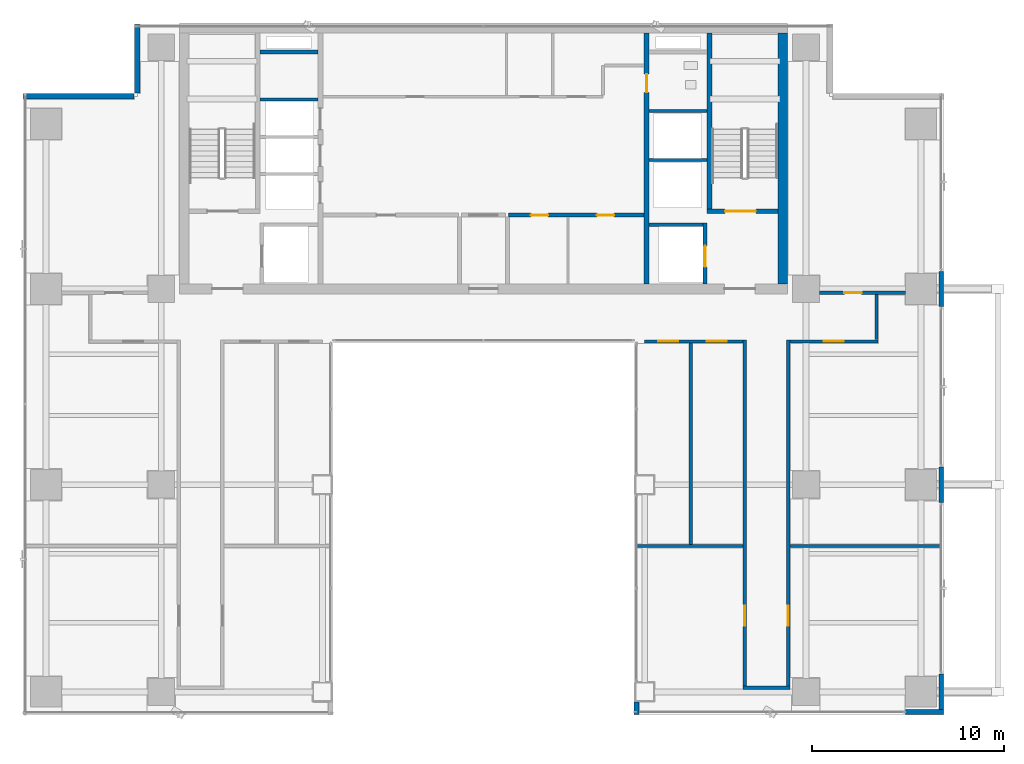
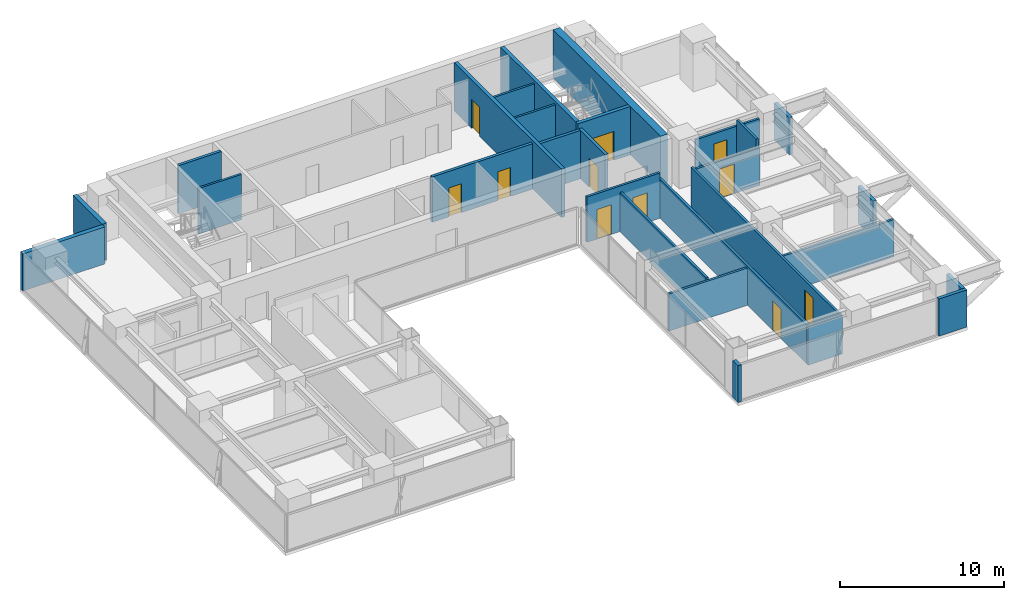
# One storey, part 26 of 31: 28 walls, 11 doors, 11 openings.
"""IFC4 building model written with IfcOpenShell, lengths in metres."""

import ifcopenshell
import ifcopenshell.guid

model = None  # the IFC model being written
_history = None  # IfcOwnerHistory: only IFC2X3 demands one
_inside = {}  # id of a spatial element -> (the spatial element, [elements in it])
_under = {}  # id of a project, library or spatial element -> (it, [spatial elements below it])
_declared = {}  # id of a project -> (the project, [libraries it declares])
_typed = {}  # id of a type object -> (the type object, [elements of that type])
_made_of = {}  # id of a material, layer set ... -> (it, [elements and type objects made of it])


def new_model(schema):
    """Start an empty IFC model of exactly this schema.

    Asked for "IFC4X3", IfcOpenShell would pick the latest addendum, in which some entities
    have other attributes; the version numbers below select the first issue.
    IFC2X3 requires an IfcOwnerHistory on every rooted entity: one is made here for all.
    """
    global model, _history
    if schema == "IFC4X3":
        model = ifcopenshell.file(schema_version=(4, 3, 0, 0))
    else:
        model = ifcopenshell.file(schema=schema)
    _inside.clear()
    _under.clear()
    _declared.clear()
    _typed.clear()
    _made_of.clear()
    _history = None
    if model.schema == "IFC2X3":
        org = make("IfcOrganization", Name="unknown")
        user = make(
            "IfcPersonAndOrganization",
            ThePerson=make("IfcPerson", FamilyName="unknown"),
            TheOrganization=org,
        )
        app = make(
            "IfcApplication",
            ApplicationDeveloper=org,
            Version="unknown",
            ApplicationFullName="unknown",
            ApplicationIdentifier="unknown",
        )
        _history = make(
            "IfcOwnerHistory",
            OwningUser=user,
            OwningApplication=app,
            ChangeAction="ADDED",
            CreationDate=0,
        )
    return model


def make(cls, **values):
    """One entity of the class cls with the attributes given. An attribute that is None is left unset."""
    return model.create_entity(
        cls, **{name: value for name, value in values.items() if value is not None}
    )


def rooted(cls, **values):
    """An entity with a GlobalId (a new one), such as an element, a storey or a relation."""
    return make(cls, GlobalId=ifcopenshell.guid.new(), OwnerHistory=_history, **values)


def si_unit(unit_type, name, prefix=None):
    """IfcSIUnit, for example si_unit("LENGTHUNIT", "METRE", prefix="MILLI")."""
    return make("IfcSIUnit", UnitType=unit_type, Prefix=prefix, Name=name)


def assignment(units):
    """IfcUnitAssignment: the units of a project."""
    return None if units is None else make("IfcUnitAssignment", Units=units)


def point(xyz):
    """IfcCartesianPoint."""
    return None if xyz is None else make("IfcCartesianPoint", Coordinates=xyz)


def direction(xyz):
    """IfcDirection."""
    return None if xyz is None else make("IfcDirection", DirectionRatios=xyz)


def frame(location, z_axis=None, x_axis=None):
    """IfcAxis2Placement3D, a coordinate frame: its origin and axes. An axis left out is left unset."""
    return make(
        "IfcAxis2Placement3D",
        Location=point(location),
        Axis=direction(z_axis),
        RefDirection=direction(x_axis),
    )


def frame_2d(location, x_axis=None):
    """IfcAxis2Placement2D, a coordinate frame in the plane: its origin and x axis."""
    return make(
        "IfcAxis2Placement2D", Location=point(location), RefDirection=direction(x_axis)
    )


def origin():
    """The frame at (0, 0, 0) with its axes left unset."""
    return frame((0.0, 0.0, 0.0))


def place(relative_to, where):
    """IfcLocalPlacement: puts the frame where relative to a parent placement (None: the world)."""
    return make(
        "IfcLocalPlacement", PlacementRelTo=relative_to, RelativePlacement=where
    )


def context(
    kind, dimensions, precision=None, world=None, true_north=None, identifier=None
):
    """IfcGeometricRepresentationContext, for example the 3D "Model" context."""
    return make(
        "IfcGeometricRepresentationContext",
        ContextIdentifier=identifier,
        ContextType=kind,
        CoordinateSpaceDimension=dimensions,
        Precision=precision,
        WorldCoordinateSystem=world,
        TrueNorth=true_north,
    )


def subcontext(parent, identifier, kind, view, scale=None):
    """IfcGeometricRepresentationSubContext, for example "Body" below "Model"."""
    return make(
        "IfcGeometricRepresentationSubContext",
        ContextIdentifier=identifier,
        ContextType=kind,
        ParentContext=parent,
        TargetScale=scale,
        TargetView=view,
    )


def project(units=None, contexts=None):
    """IfcProject with its units and contexts."""
    return rooted(
        "IfcProject",
        Name="project",
        RepresentationContexts=contexts,
        UnitsInContext=assignment(units),
    )


def spatial(cls, under=None, at=None, **own):
    """A site, building, storey or space (cls), placed at a placement, below another one or the project."""
    s = rooted(cls, ObjectPlacement=at, **own)
    if under is not None:
        _under.setdefault(under.id(), (under, []))[1].append(s)
    return s


def profile(cls, at=None, kind="AREA", **sizes):
    """A parametric profile (cls). Its sizes go by their IFC names, for example OverallWidth=200.0."""
    return make(cls, ProfileType=kind, Position=at, **sizes)


def rectangle(**sizes):
    """IfcRectangleProfileDef."""
    return profile("IfcRectangleProfileDef", **sizes)


def extrude(swept, where, along, depth):
    """IfcExtrudedAreaSolid: the profile swept, set in the frame where, extruded along a direction by depth."""
    return make(
        "IfcExtrudedAreaSolid",
        SweptArea=swept,
        Position=where,
        ExtrudedDirection=direction(along),
        Depth=depth,
    )


def shape(context_of_items, identifier, shape_type, items):
    """IfcShapeRepresentation: the items that make up one representation, for example the "Body"."""
    return make(
        "IfcShapeRepresentation",
        ContextOfItems=context_of_items,
        RepresentationIdentifier=identifier,
        RepresentationType=shape_type,
        Items=items,
    )


def source(mapping_origin, context_of_items, identifier, shape_type, items):
    """IfcRepresentationMap: a shape defined once, which mapped items show again and again."""
    return make(
        "IfcRepresentationMap",
        MappingOrigin=mapping_origin,
        MappedRepresentation=shape(context_of_items, identifier, shape_type, items),
    )


def transform(
    local_origin,
    x_axis=None,
    y_axis=None,
    z_axis=None,
    scale=None,
    scale2=None,
    scale3=None,
    uniform=True,
):
    """IfcCartesianTransformationOperator3D, or its non-uniform kind. x_axis, y_axis, z_axis: its Axis1, 2, 3."""
    if uniform:
        return make(
            "IfcCartesianTransformationOperator3D",
            Axis1=direction(x_axis),
            Axis2=direction(y_axis),
            LocalOrigin=point(local_origin),
            Scale=scale,
            Axis3=direction(z_axis),
        )
    return make(
        "IfcCartesianTransformationOperator3DnonUniform",
        Axis1=direction(x_axis),
        Axis2=direction(y_axis),
        LocalOrigin=point(local_origin),
        Scale=scale,
        Axis3=direction(z_axis),
        Scale2=scale2,
        Scale3=scale3,
    )


def mapped(mapping_source, mapping_target):
    """IfcMappedItem: shows the shape of a source again, moved by a transform."""
    return make(
        "IfcMappedItem", MappingSource=mapping_source, MappingTarget=mapping_target
    )


def material(Name=None, Category=None):
    """IfcMaterial."""
    return make("IfcMaterial", Name=Name, Category=Category)


def layer(
    of_material, thickness, ventilated=None, Name=None, Category=None, Priority=None
):
    """IfcMaterialLayer: one layer of a wall or slab, of a material (None: an air gap)."""
    return make(
        "IfcMaterialLayer",
        Material=of_material,
        LayerThickness=thickness,
        IsVentilated=ventilated,
        Name=Name,
        Category=Category,
        Priority=Priority,
    )


def layer_set(layers, Name=None):
    """IfcMaterialLayerSet."""
    return make("IfcMaterialLayerSet", MaterialLayers=layers, LayerSetName=Name)


def made_of(thing, what):
    """Note that an element or type object is made of a material, layer set ...; save() writes the relation."""
    if what is not None:
        _made_of.setdefault(what.id(), (what, []))[1].append(thing)
    return thing


def type_object(cls, material=None, **own):
    """A type object (cls), such as IfcWallType, which elements share."""
    return made_of(rooted(cls, **own), material)


def element(
    cls,
    number,
    at=None,
    inside=None,
    cuts=None,
    type_object=None,
    material=None,
    context=None,
    identifier="Body",
    shape_type=None,
    held_by="IfcProductDefinitionShape",
    body=None,
    shapes=None,
    **own,
):
    """One element of the class cls, such as IfcWall. Its Tag is "e" and its number.

    at: its placement. inside: the storey or other place that contains it. cuts: it is an
    opening in that element (IfcRelVoidsElement). A single representation is given by context,
    identifier, shape_type and body (its items); several are given by shapes. held_by: the class
    of the entity that holds the representations. save() writes the other relations.
    """
    e = rooted(cls, Tag="e%d" % number, ObjectPlacement=at, **own)
    if body is not None:
        shapes = [shape(context, identifier, shape_type, body)]
    if shapes is not None:
        e.Representation = make(held_by, Representations=shapes)
    if inside is not None:
        _inside.setdefault(inside.id(), (inside, []))[1].append(e)
    if cuts is not None:
        rooted(
            "IfcRelVoidsElement", RelatingBuildingElement=cuts, RelatedOpeningElement=e
        )
    if type_object is not None:
        _typed.setdefault(type_object.id(), (type_object, []))[1].append(e)
    return made_of(e, material)


def fill(opening, filler):
    """IfcRelFillsElement: the door or window that sits in an opening."""
    return rooted(
        "IfcRelFillsElement",
        RelatingOpeningElement=opening,
        RelatedBuildingElement=filler,
    )


def aggregate(whole, parts):
    """IfcRelAggregates: a whole, such as a stair, and the parts it consists of."""
    return rooted("IfcRelAggregates", RelatingObject=whole, RelatedObjects=parts)


def save(model, path):
    """Write the relations noted so far, then the file.

    IfcRelAggregates (storeys below a building ...), IfcRelContainedInSpatialStructure (elements
    in a storey), IfcRelDefinesByType, IfcRelAssociatesMaterial and IfcRelDeclares: one each for
    every whole, place, type object, material and project.
    """
    for whole, parts in _under.values():
        aggregate(whole, parts)
    for where, things in _inside.values():
        rooted(
            "IfcRelContainedInSpatialStructure",
            RelatedElements=things,
            RelatingStructure=where,
        )
    for kind, things in _typed.values():
        rooted("IfcRelDefinesByType", RelatedObjects=things, RelatingType=kind)
    for what, things in _made_of.values():
        rooted("IfcRelAssociatesMaterial", RelatedObjects=things, RelatingMaterial=what)
    for by, libraries in _declared.values():
        rooted("IfcRelDeclares", RelatingContext=by, RelatedDefinitions=libraries)
    model.write(path)


model = new_model("IFC4")

# Units and contexts
model_context = context("Model", 3, precision=1e-05, world=origin(), true_north=direction((0.0, 1.0)))
body_context = subcontext(model_context, "Body", "Model", "MODEL_VIEW")
ifc_project = project(units=[si_unit("LENGTHUNIT", "METRE"), si_unit("AREAUNIT", "SQUARE_METRE"), si_unit("VOLUMEUNIT", "CUBIC_METRE"), si_unit("PLANEANGLEUNIT", "RADIAN"), si_unit("MASSUNIT", "GRAM", prefix="KILO")], contexts=[model_context])

# Site, building, storey
site_placement = place(None, origin())
site = spatial("IfcSite", under=ifc_project, at=site_placement, CompositionType="ELEMENT")
building_placement = place(site_placement, origin())
building = spatial("IfcBuilding", under=site, at=building_placement, Name="Sumidabori Civic Tower", CompositionType="ELEMENT")
storey_placement = place(building_placement, frame((0.0, 0.0, 221.60009765625)))
storey = spatial("IfcBuildingStorey", under=building, at=storey_placement, Name="L57", CompositionType="ELEMENT", Elevation=221.60009765625)

# Walls
ifc_material_1 = material(Name="Concrete C50/60", Category="concrete")
ifc_layer_1 = layer(ifc_material_1, 0.199951171875, Name="Concrete C50/60")
ifc_layer_set_1 = layer_set([ifc_layer_1], Name="Concrete C50/60")
wall_type_1 = type_object("IfcWallType", Name="WL-SHAFT-200", PredefinedType="SHEAR", material=ifc_layer_set_1)
shared_shape_1 = source(origin(), body_context, "Body", "SweptSolid", [
    extrude(rectangle(XDim=2.824951171875, YDim=0.199951171875, at=frame_2d((1.41259765625, 0.0))), origin(), (0.0, 0.0, 1.0), 3.599853515625),
])
wall_1_placement = place(storey_placement, frame((8.625, 13.550048828125, 0.0), z_axis=(0.0, 0.0, 1.0), x_axis=(1.0, 0.0, 0.0)))
element("IfcWall", 1, at=wall_1_placement, inside=storey, type_object=wall_type_1, Name="Core Shear Wall L57 EL2-N", PredefinedType="SHEAR", context=body_context, shape_type="MappedRepresentation", body=[
    mapped(shared_shape_1, transform((0.0, 0.0, 0.0), x_axis=(1.0, 0.0, 0.0), y_axis=(0.0, 1.0, 0.0), z_axis=(0.0, 0.0, 1.0), scale=1.0)),
])
shared_shape_2 = source(origin(), body_context, "Body", "SweptSolid", [
    extrude(rectangle(XDim=3.02001953125, YDim=0.199951171875, at=frame_2d((1.510009765625, 0.0))), origin(), (0.0, 0.0, 1.0), 3.599853515625),
])
wall_2_placement = place(storey_placement, frame((-11.64501953125, 22.550048828125, 0.0), z_axis=(0.0, 0.0, 1.0), x_axis=(1.0, 0.0, 0.0)))
element("IfcWall", 2, at=wall_2_placement, inside=storey, type_object=wall_type_1, Name="Core Shear Wall L57 RIS1-S", PredefinedType="SHEAR", context=body_context, shape_type="MappedRepresentation", body=[
    mapped(shared_shape_2, transform((0.0, 0.0, 0.0), x_axis=(1.0, 0.0, 0.0), y_axis=(0.0, 1.0, 0.0), z_axis=(0.0, 0.0, 1.0), scale=1.0)),
])
ifc_layer_2 = layer(ifc_material_1, 0.5, Name="Concrete C50/60")
ifc_layer_set_2 = layer_set([ifc_layer_2], Name="Concrete C50/60")
wall_type_2 = type_object("IfcWallType", Name="WL-CORE-500", PredefinedType="SHEAR", material=ifc_layer_set_2)
shared_shape_3 = source(origin(), body_context, "Body", "SweptSolid", [
    extrude(rectangle(XDim=13.10009765625, YDim=0.5, at=frame_2d((6.550048828125, 0.0))), origin(), (0.0, 0.0, 1.0), 3.599853515625),
])
wall_3_placement = place(storey_placement, frame((15.60009765625, 10.449951171875, 0.0), z_axis=(0.0, 0.0, 1.0), x_axis=(0.0, 1.0, 0.0)))
element("IfcWall", 3, at=wall_3_placement, inside=storey, type_object=wall_type_2, Name="Core Shear Wall L57 E", PredefinedType="SHEAR", context=body_context, shape_type="MappedRepresentation", body=[
    mapped(shared_shape_3, transform((0.0, 0.0, 0.0), x_axis=(1.0, 0.0, 0.0), y_axis=(0.0, 1.0, 0.0), z_axis=(0.0, 0.0, 1.0), scale=1.0)),
])

# Wall, opening, door
ifc_layer_3 = layer(ifc_material_1, 0.25, Name="Concrete C50/60")
ifc_layer_set_3 = layer_set([ifc_layer_3], Name="Concrete C50/60")
wall_type_3 = type_object("IfcWallType", Name="WL-SHAFT-250", PredefinedType="SHEAR", material=ifc_layer_set_3)
shared_shape_4 = source(origin(), body_context, "Body", "SweptSolid", [
    extrude(rectangle(XDim=13.10009765625, YDim=0.25, at=frame_2d((6.550048828125, 0.0))), origin(), (0.0, 0.0, 1.0), 3.599853515625),
])
wall_4_placement = place(storey_placement, frame((8.5, 10.449951171875, 0.0), z_axis=(0.0, 0.0, 1.0), x_axis=(0.0, 1.0, 0.0)))
wall_4 = element("IfcWall", 4, at=wall_4_placement, inside=storey, type_object=wall_type_3, Name="Core Shear Wall L57 WEB-E", PredefinedType="SHEAR", context=body_context, shape_type="MappedRepresentation", body=[
    mapped(shared_shape_4, transform((0.0, 0.0, 0.0), x_axis=(1.0, 0.0, 0.0), y_axis=(0.0, 1.0, 0.0), z_axis=(0.0, 0.0, 1.0), scale=1.0)),
])
opening_1_placement = place(wall_4_placement, frame((10.0, 0.0, 0.0)))
opening_1 = element("IfcOpeningElement", 5, at=opening_1_placement, cuts=wall_4, Name="Opening DR-2", PredefinedType="OPENING", context=body_context, shape_type="SweptSolid", body=[
    extrude(rectangle(XDim=0.949951171875, YDim=2.14990234375, at=frame_2d((0.47509765625, 1.074951171875))), frame((0.0, 0.136962890625, 0.0), z_axis=(0.0, -1.0, 0.0), x_axis=(1.0, 0.0, 0.0)), (0.0, 0.0, 1.0), 0.27392578125),
])
ifc_material_2 = material(Name="Japanese Hinoki Timber", Category="wood")
door_type_1 = type_object("IfcDoorType", Name="DR-INT-950", OperationType="NOTDEFINED", PredefinedType="DOOR", material=ifc_material_2)
shared_shape_5 = source(origin(), body_context, "Body", "SweptSolid", [
    extrude(rectangle(XDim=0.949951171875, YDim=2.14990234375, at=frame_2d((0.47509765625, 1.074951171875))), frame((0.0, 0.02490234375, 0.0), z_axis=(0.0, -1.0, 0.0), x_axis=(1.0, 0.0, 0.0)), (0.0, 0.0, 1.0), 0.050048828125),
])
door_1_placement = place(opening_1_placement, origin())
door_1 = element("IfcDoor", 6, at=door_1_placement, inside=storey, type_object=door_type_1, Name="Door DR:L57:WC-ACC", OperationType="SINGLE_SWING_RIGHT", OverallHeight=2.14990234375, OverallWidth=0.949951171875, PredefinedType="DOOR", context=body_context, shape_type="MappedRepresentation", body=[
    mapped(shared_shape_5, transform((0.0, 0.0, 0.0), x_axis=(1.0, 0.0, 0.0), y_axis=(0.0, 1.0, 0.0), z_axis=(0.0, 0.0, 1.0), scale=1.0)),
])
fill(opening_1, door_1)

shared_shape_6 = source(origin(), body_context, "Body", "SweptSolid", [
    extrude(rectangle(XDim=3.705078125, YDim=0.25, at=frame_2d((1.8525390625, 0.0))), origin(), (0.0, 0.0, 1.0), 3.599853515625),
])
wall_5_placement = place(storey_placement, frame((11.64501953125, 14.25, 0.0), z_axis=(0.0, 0.0, 1.0), x_axis=(1.0, 0.0, 0.0)))
wall_5 = element("IfcWall", 7, at=wall_5_placement, inside=storey, type_object=wall_type_3, Name="Core Shear Wall L57 ST2-S", PredefinedType="SHEAR", context=body_context, shape_type="MappedRepresentation", body=[
    mapped(shared_shape_6, transform((0.0, 0.0, 0.0), x_axis=(1.0, 0.0, 0.0), y_axis=(0.0, 1.0, 0.0), z_axis=(0.0, 0.0, 1.0), scale=1.0)),
])
opening_2_placement = place(wall_5_placement, frame((0.949951171875, 0.0, 0.0)))
opening_2 = element("IfcOpeningElement", 8, at=opening_2_placement, cuts=wall_5, Name="Opening DR-FD4", PredefinedType="OPENING", context=body_context, shape_type="SweptSolid", body=[
    extrude(rectangle(XDim=1.60009765625, YDim=2.14990234375, at=frame_2d((0.800048828125, 1.074951171875))), frame((0.0, 0.136962890625, 0.0), z_axis=(0.0, -1.0, 0.0), x_axis=(1.0, 0.0, 0.0)), (0.0, 0.0, 1.0), 0.27392578125),
])
ifc_material_3 = material(Name="Steel SN490", Category="steel")
door_type_2 = type_object("IfcDoorType", Name="DR-FD4", OperationType="DOUBLE_DOOR_SINGLE_SWING", PredefinedType="DOOR", material=ifc_material_3)
shared_shape_7 = source(origin(), body_context, "Body", "SweptSolid", [
    extrude(rectangle(XDim=1.60009765625, YDim=2.14990234375, at=frame_2d((0.800048828125, 1.074951171875))), frame((0.0, 0.02490234375, 0.0), z_axis=(0.0, -1.0, 0.0), x_axis=(1.0, 0.0, 0.0)), (0.0, 0.0, 1.0), 0.050048828125),
])
door_2_placement = place(opening_2_placement, origin())
door_2 = element("IfcDoor", 9, at=door_2_placement, inside=storey, type_object=door_type_2, Name="Door DR:L57:ST2", OperationType="DOUBLE_DOOR_SINGLE_SWING", OverallHeight=2.14990234375, OverallWidth=1.60009765625, PredefinedType="DOOR", context=body_context, shape_type="MappedRepresentation", body=[
    mapped(shared_shape_7, transform((0.0, 0.0, 0.0), x_axis=(1.0, 0.0, 0.0), y_axis=(0.0, 1.0, 0.0), z_axis=(0.0, 0.0, 1.0), scale=1.0)),
])
fill(opening_2, door_2)

# Wall
shared_shape_8 = source(origin(), body_context, "Body", "SweptSolid", [
    extrude(rectangle(XDim=9.175048828125, YDim=0.25, at=frame_2d((4.58740234375, 0.0))), origin(), (0.0, 0.0, 1.0), 3.599853515625),
])
wall_6_placement = place(storey_placement, frame((11.77001953125, 14.375, 0.0), z_axis=(0.0, 0.0, 1.0), x_axis=(0.0, 1.0, 0.0)))
element("IfcWall", 10, at=wall_6_placement, inside=storey, type_object=wall_type_3, Name="Core Shear Wall L57 ST2-W", PredefinedType="SHEAR", context=body_context, shape_type="MappedRepresentation", body=[
    mapped(shared_shape_8, transform((0.0, 0.0, 0.0), x_axis=(1.0, 0.0, 0.0), y_axis=(0.0, 1.0, 0.0), z_axis=(0.0, 0.0, 1.0), scale=1.0)),
])

# Wall, opening, door
shared_shape_9 = source(origin(), body_context, "Body", "SweptSolid", [
    extrude(rectangle(XDim=3.199951171875, YDim=0.199951171875, at=frame_2d((1.60009765625, 0.0))), origin(), (0.0, 0.0, 1.0), 3.599853515625),
])
wall_7_placement = place(storey_placement, frame((11.550048828125, 10.449951171875, 0.0), z_axis=(0.0, 0.0, 1.0), x_axis=(0.0, 1.0, 0.0)))
wall_7 = element("IfcWall", 11, at=wall_7_placement, inside=storey, type_object=wall_type_1, Name="Core Shear Wall L57 EL2-E", PredefinedType="SHEAR", context=body_context, shape_type="MappedRepresentation", body=[
    mapped(shared_shape_9, transform((0.0, 0.0, 0.0), x_axis=(1.0, 0.0, 0.0), y_axis=(0.0, 1.0, 0.0), z_axis=(0.0, 0.0, 1.0), scale=1.0)),
])
opening_3_placement = place(wall_7_placement, frame((0.89990234375, 0.0, 0.0)))
opening_3 = element("IfcOpeningElement", 12, at=opening_3_placement, cuts=wall_7, Name="Opening LD-2", PredefinedType="OPENING", context=body_context, shape_type="SweptSolid", body=[
    extrude(rectangle(XDim=1.10009765625, YDim=2.14990234375, at=frame_2d((0.550048828125, 1.074951171875))), frame((0.0, 0.11181640625, 0.0), z_axis=(0.0, -1.0, 0.0), x_axis=(1.0, 0.0, 0.0)), (0.0, 0.0, 1.0), 0.223876953125),
])
ifc_material_4 = material(Name="Stainless Steel Hairline Finish", Category="steel")
door_type_3 = type_object("IfcDoorType", Name="DR-LD2", OperationType="DOUBLE_DOOR_SLIDING", PredefinedType="DOOR", material=ifc_material_4)
shared_shape_10 = source(origin(), body_context, "Body", "SweptSolid", [
    extrude(rectangle(XDim=1.10009765625, YDim=2.14990234375, at=frame_2d((0.550048828125, 1.074951171875))), frame((0.0, 0.02490234375, 0.0), z_axis=(0.0, -1.0, 0.0), x_axis=(1.0, 0.0, 0.0)), (0.0, 0.0, 1.0), 0.050048828125),
])
door_3_placement = place(opening_3_placement, origin())
door_3 = element("IfcDoor", 13, at=door_3_placement, inside=storey, type_object=door_type_3, Name="Door DR:L57:LD-EL2", OperationType="DOUBLE_DOOR_SLIDING", OverallHeight=2.14990234375, OverallWidth=1.10009765625, PredefinedType="DOOR", context=body_context, shape_type="MappedRepresentation", body=[
    mapped(shared_shape_10, transform((0.0, 0.0, 0.0), x_axis=(1.0, 0.0, 0.0), y_axis=(0.0, 1.0, 0.0), z_axis=(0.0, 0.0, 1.0), scale=1.0)),
])
fill(opening_3, door_3)

# Walls
ifc_material_5 = material(Name="Precast concrete C40/50", Category="concrete")
ifc_layer_4 = layer(ifc_material_5, 0.300048828125, Name="Precast concrete C40/50")
ifc_layer_set_4 = layer_set([ifc_layer_4], Name="Precast concrete C40/50")
wall_type_4 = type_object("IfcWallType", Name="WL-EXT-POD300", PredefinedType="STANDARD", material=ifc_layer_set_4)
shared_shape_11 = source(origin(), body_context, "Body", "SweptSolid", [
    extrude(rectangle(XDim=0.639892578125, YDim=0.239990234375, at=frame_2d((0.31982421875, 0.0))), origin(), (0.0, 0.0, 1.0), 2.760009765625),
])
wall_8_placement = place(storey_placement, frame((7.969970703125, -11.330078125, 0.0), z_axis=(0.0, 0.0, 1.0), x_axis=(0.0, -1.0, 0.0)))
element("IfcWall", 14, at=wall_8_placement, inside=storey, type_object=wall_type_4, Name="Perimeter Pier Spandrel L57-08", PredefinedType="STANDARD", context=body_context, shape_type="MappedRepresentation", body=[
    mapped(shared_shape_11, transform((0.0, 0.0, 0.0), x_axis=(1.0, 0.0, 0.0), y_axis=(0.0, 1.0, 0.0), z_axis=(0.0, 0.0, 1.0), scale=1.0)),
])
shared_shape_12 = source(origin(), body_context, "Body", "SweptSolid", [
    extrude(rectangle(XDim=5.760009765625, YDim=0.300048828125, at=frame_2d((2.8798828125, 0.0))), origin(), (0.0, 0.0, 1.0), 2.760009765625),
])
wall_9_placement = place(storey_placement, frame((-18.219970703125, 20.25, 0.0), z_axis=(0.0, 0.0, 1.0), x_axis=(-1.0, 0.0, 0.0)))
element("IfcWall", 15, at=wall_9_placement, inside=storey, type_object=wall_type_4, Name="Notched Corner Spandrel Band L57-21", PredefinedType="STANDARD", context=body_context, shape_type="MappedRepresentation", body=[
    mapped(shared_shape_12, transform((0.0, 0.0, 0.0), x_axis=(1.0, 0.0, 0.0), y_axis=(0.0, 1.0, 0.0), z_axis=(0.0, 0.0, 1.0), scale=1.0)),
])
shared_shape_13 = source(origin(), body_context, "Body", "SweptSolid", [
    extrude(rectangle(XDim=3.56005859375, YDim=0.300048828125, at=frame_2d((1.780029296875, 0.0))), origin(), (0.0, 0.0, 1.0), 2.760009765625),
])
wall_10_placement = place(storey_placement, frame((-18.050048828125, 23.97998046875, 0.0), z_axis=(0.0, 0.0, 1.0), x_axis=(0.0, -1.0, 0.0)))
element("IfcWall", 16, at=wall_10_placement, inside=storey, type_object=wall_type_4, Name="Notched Corner Spandrel Band L57-20", PredefinedType="STANDARD", context=body_context, shape_type="MappedRepresentation", body=[
    mapped(shared_shape_13, transform((0.0, 0.0, 0.0), x_axis=(1.0, 0.0, 0.0), y_axis=(0.0, 1.0, 0.0), z_axis=(0.0, 0.0, 1.0), scale=1.0)),
])
shared_shape_14 = source(origin(), body_context, "Body", "SweptSolid", [
    extrude(rectangle(XDim=1.969970703125, YDim=0.239990234375, at=frame_2d((0.98486328125, 0.0))), origin(), (0.0, 0.0, 1.0), 2.760009765625),
])
wall_11_placement = place(storey_placement, frame((22.0, -11.85009765625, 0.0), z_axis=(0.0, 0.0, 1.0), x_axis=(1.0, 0.0, 0.0)))
element("IfcWall", 17, at=wall_11_placement, inside=storey, type_object=wall_type_4, Name="South-East Corner Perimeter Pier L57", PredefinedType="STANDARD", context=body_context, shape_type="MappedRepresentation", body=[
    mapped(shared_shape_14, transform((0.0, 0.0, 0.0), x_axis=(1.0, 0.0, 0.0), y_axis=(0.0, 1.0, 0.0), z_axis=(0.0, 0.0, 1.0), scale=1.0)),
])
shared_shape_15 = source(origin(), body_context, "Body", "SweptSolid", [
    extrude(rectangle(XDim=1.840087890625, YDim=0.239990234375, at=frame_2d((0.919921875, 0.0))), origin(), (0.0, 0.0, 1.0), 2.760009765625),
])
for number, where, z_axis, x_axis, name in (
    (18, (23.85009765625, -11.719970703125, 0.0), (0.0, 0.0, 1.0), (0.0, 1.0, 0.0), "Sky Pool Bracket Pier Spandrel L57-11"),
    (19, (23.85009765625, 9.280029296875, 0.0), (0.0, 0.0, 1.0), (0.0, 1.0, 0.0), "Sky Pool Bracket Pier Spandrel L57-13"),
):
    element("IfcWall", number, at=place(storey_placement, frame(where, z_axis=z_axis, x_axis=x_axis)), inside=storey, type_object=wall_type_4, Name=name, PredefinedType="STANDARD", context=body_context, shape_type="MappedRepresentation", body=[
        mapped(shared_shape_15, transform((0.0, 0.0, 0.0), x_axis=(1.0, 0.0, 0.0), y_axis=(0.0, 1.0, 0.0), z_axis=(0.0, 0.0, 1.0), scale=1.0)),
    ])
shared_shape_16 = source(origin(), body_context, "Body", "SweptSolid", [
    extrude(rectangle(XDim=1.83984375, YDim=0.239990234375, at=frame_2d((0.919921875, 0.0))), origin(), (0.0, 0.0, 1.0), 2.760009765625),
])
wall_12_placement = place(storey_placement, frame((23.85009765625, -0.919921875, 0.0), z_axis=(0.0, 0.0, 1.0), x_axis=(0.0, 1.0, 0.0)))
element("IfcWall", 20, at=wall_12_placement, inside=storey, type_object=wall_type_4, Name="Sky Pool Bracket Pier Spandrel L57-12", PredefinedType="STANDARD", context=body_context, shape_type="MappedRepresentation", body=[
    mapped(shared_shape_16, transform((0.0, 0.0, 0.0), x_axis=(1.0, 0.0, 0.0), y_axis=(0.0, 1.0, 0.0), z_axis=(0.0, 0.0, 1.0), scale=1.0)),
])
ifc_material_6 = material(Name="Gypsum Plasterboard Acoustic Partition")
ifc_layer_5 = layer(ifc_material_6, 0.14990234375, Name="Gypsum Plasterboard Acoustic Partition")
ifc_layer_set_5 = layer_set([ifc_layer_5], Name="Gypsum Plasterboard Acoustic Partition")
wall_type_5 = type_object("IfcWallType", Name="WL-PART-150", PredefinedType="PARTITIONING", material=ifc_layer_set_5)
shared_shape_17 = source(origin(), body_context, "Body", "SweptSolid", [
    extrude(rectangle(XDim=3.010009765625, YDim=0.14990234375, at=frame_2d((1.5048828125, 0.0))), origin(), (0.0, 0.0, 1.0), 3.3798828125),
])
for number, where, z_axis, x_axis, name in (
    (21, (-11.639892578125, 20.080078125, 0.0), (0.0, 0.0, 1.0), (1.0, 0.0, 0.0), "Interior Partition WL:L57:DIV-PLH3"),
    (22, (8.6298828125, 16.919921875, 0.0), (0.0, 0.0, 1.0), (1.0, 0.0, 0.0), "Interior Partition WL:L57:DIV-OBS1"),
    (23, (8.6298828125, 19.469970703125, 0.0), (0.0, 0.0, 1.0), (1.0, 0.0, 0.0), "Interior Partition WL:L57:DIV-OBS2"),
):
    element("IfcWall", number, at=place(storey_placement, frame(where, z_axis=z_axis, x_axis=x_axis)), inside=storey, type_object=wall_type_5, Name=name, PredefinedType="PARTITIONING", context=body_context, shape_type="MappedRepresentation", body=[
        mapped(shared_shape_17, transform((0.0, 0.0, 0.0), x_axis=(1.0, 0.0, 0.0), y_axis=(0.0, 1.0, 0.0), z_axis=(0.0, 0.0, 1.0), scale=1.0)),
    ])

# Wall, openings, doors
ifc_material_7 = material(Name="Gypsum Plasterboard Fire Partition")
ifc_layer_6 = layer(ifc_material_7, 0.199951171875, Name="Gypsum Plasterboard Fire Partition")
ifc_layer_set_6 = layer_set([ifc_layer_6], Name="Gypsum Plasterboard Fire Partition")
wall_type_6 = type_object("IfcWallType", Name="WL-PART-FIRE", PredefinedType="PARTITIONING", material=ifc_layer_set_6)
shared_shape_18 = source(origin(), body_context, "Body", "SweptSolid", [
    extrude(rectangle(XDim=7.070068359375, YDim=0.199951171875, at=frame_2d((3.53515625, 0.0))), origin(), (0.0, 0.0, 1.0), 3.3798828125),
])
wall_13_placement = place(storey_placement, frame((1.300048828125, 14.050048828125, 0.0), z_axis=(0.0, 0.0, 1.0), x_axis=(1.0, 0.0, 0.0)))
wall_13 = element("IfcWall", 24, at=wall_13_placement, inside=storey, type_object=wall_type_6, Name="Interior Partition WL:L57:CBAND-SE", PredefinedType="PARTITIONING", context=body_context, shape_type="MappedRepresentation", body=[
    mapped(shared_shape_18, transform((0.0, 0.0, 0.0), x_axis=(1.0, 0.0, 0.0), y_axis=(0.0, 1.0, 0.0), z_axis=(0.0, 0.0, 1.0), scale=1.0)),
])
opening_4_placement = place(wall_13_placement, frame((1.159912109375, 0.0, 0.0)))
opening_4 = element("IfcOpeningElement", 25, at=opening_4_placement, cuts=wall_13, Name="Opening DR-1", PredefinedType="OPENING", context=body_context, shape_type="SweptSolid", body=[
    extrude(rectangle(XDim=0.89990234375, YDim=2.14990234375, at=frame_2d((0.449951171875, 1.074951171875))), frame((0.0, 0.11181640625, 0.0), z_axis=(0.0, -1.0, 0.0), x_axis=(1.0, 0.0, 0.0)), (0.0, 0.0, 1.0), 0.223876953125),
])
opening_5_placement = place(wall_13_placement, frame((4.610107421875, 0.0, 0.0)))
opening_5 = element("IfcOpeningElement", 26, at=opening_5_placement, cuts=wall_13, Name="Opening DR-1", PredefinedType="OPENING", context=body_context, shape_type="SweptSolid", body=[
    extrude(rectangle(XDim=0.89990234375, YDim=2.14990234375, at=frame_2d((0.449951171875, 1.074951171875))), frame((0.0, 0.11181640625, 0.0), z_axis=(0.0, -1.0, 0.0), x_axis=(1.0, 0.0, 0.0)), (0.0, 0.0, 1.0), 0.223876953125),
])
door_type_4 = type_object("IfcDoorType", Name="DR-INT-900", OperationType="NOTDEFINED", PredefinedType="DOOR", material=ifc_material_2)
shared_shape_19 = source(origin(), body_context, "Body", "SweptSolid", [
    extrude(rectangle(XDim=0.89990234375, YDim=2.14990234375, at=frame_2d((0.449951171875, 1.074951171875))), frame((0.0, 0.02490234375, 0.0), z_axis=(0.0, -1.0, 0.0), x_axis=(1.0, 0.0, 0.0)), (0.0, 0.0, 1.0), 0.050048828125),
])
door_4_placement = place(opening_4_placement, origin())
door_4 = element("IfcDoor", 27, at=door_4_placement, inside=storey, type_object=door_type_4, Name="Door DR:L57:REC-B2A", OperationType="SINGLE_SWING_LEFT", OverallHeight=2.14990234375, OverallWidth=0.89990234375, PredefinedType="DOOR", context=body_context, shape_type="MappedRepresentation", body=[
    mapped(shared_shape_19, transform((0.0, 0.0, 0.0), x_axis=(1.0, 0.0, 0.0), y_axis=(0.0, 1.0, 0.0), z_axis=(0.0, 0.0, 1.0), scale=1.0)),
])
fill(opening_4, door_4)
door_5_placement = place(opening_5_placement, origin())
door_5 = element("IfcDoor", 28, at=door_5_placement, inside=storey, type_object=door_type_4, Name="Door DR:L57:REC-B2B", OperationType="SINGLE_SWING_RIGHT", OverallHeight=2.14990234375, OverallWidth=0.89990234375, PredefinedType="DOOR", context=body_context, shape_type="MappedRepresentation", body=[
    mapped(shared_shape_19, transform((0.0, 0.0, 0.0), x_axis=(1.0, 0.0, 0.0), y_axis=(0.0, 1.0, 0.0), z_axis=(0.0, 0.0, 1.0), scale=1.0)),
])
fill(opening_5, door_5)

# Wall, opening, door
ifc_layer_7 = layer(ifc_material_6, 0.1650390625, Name="Gypsum Plasterboard Acoustic Partition")
ifc_layer_set_7 = layer_set([ifc_layer_7], Name="Gypsum Plasterboard Acoustic Partition")
wall_type_7 = type_object("IfcWallType", Name="WL-PART-165", PredefinedType="PARTITIONING", material=ifc_layer_set_7)
shared_shape_20 = source(origin(), body_context, "Body", "SweptSolid", [
    extrude(rectangle(XDim=4.599853515625, YDim=0.1650390625, at=frame_2d((2.2998046875, 0.0))), origin(), (0.0, 0.0, 1.0), 2.764892578125),
])
wall_14_placement = place(storey_placement, frame((15.965087890625, 7.467529296875, 0.0), z_axis=(0.0, 0.0, 1.0), x_axis=(1.0, 0.0, 0.0)))
wall_14 = element("IfcWall", 29, at=wall_14_placement, inside=storey, type_object=wall_type_7, Name="Interior Partition WL:L57:CORR-SEO", PredefinedType="PARTITIONING", context=body_context, shape_type="MappedRepresentation", body=[
    mapped(shared_shape_20, transform((0.0, 0.0, 0.0), x_axis=(1.0, 0.0, 0.0), y_axis=(0.0, 1.0, 0.0), z_axis=(0.0, 0.0, 1.0), scale=1.0)),
])
opening_6_placement = place(wall_14_placement, frame((1.777587890625, 0.0, 0.0)))
opening_6 = element("IfcOpeningElement", 30, at=opening_6_placement, cuts=wall_14, Name="Opening DR-4", PredefinedType="OPENING", context=body_context, shape_type="SweptSolid", body=[
    extrude(rectangle(XDim=1.0400390625, YDim=2.199951171875, at=frame_2d((0.52001953125, 1.10009765625))), frame((0.0, 0.094482421875, 0.0), z_axis=(0.0, -1.0, 0.0), x_axis=(1.0, 0.0, 0.0)), (0.0, 0.0, 1.0), 0.18896484375),
])
door_type_5 = type_object("IfcDoorType", Name="DR-INT-1040", OperationType="NOTDEFINED", PredefinedType="DOOR", material=ifc_material_2)
shared_shape_21 = source(origin(), body_context, "Body", "SweptSolid", [
    extrude(rectangle(XDim=1.0400390625, YDim=2.199951171875, at=frame_2d((0.52001953125, 1.10009765625))), frame((0.0, 0.02490234375, 0.0), z_axis=(0.0, -1.0, 0.0), x_axis=(1.0, 0.0, 0.0)), (0.0, 0.0, 1.0), 0.050048828125),
])
door_6_placement = place(opening_6_placement, origin())
door_6 = element("IfcDoor", 31, at=door_6_placement, inside=storey, type_object=door_type_5, Name="Door DR:L57:D04", OperationType="SINGLE_SWING_RIGHT", OverallHeight=2.199951171875, OverallWidth=1.0400390625, PredefinedType="DOOR", context=body_context, shape_type="MappedRepresentation", body=[
    mapped(shared_shape_21, transform((0.0, 0.0, 0.0), x_axis=(1.0, 0.0, 0.0), y_axis=(0.0, 1.0, 0.0), z_axis=(0.0, 0.0, 1.0), scale=1.0)),
])
fill(opening_6, door_6)

# Wall, openings, doors
shared_shape_22 = source(origin(), body_context, "Body", "SweptSolid", [
    extrude(rectangle(XDim=5.135009765625, YDim=0.1650390625, at=frame_2d((2.5673828125, 0.0))), origin(), (0.0, 0.0, 1.0), 3.3798828125),
])
wall_15_placement = place(storey_placement, frame((8.39990234375, 7.467529296875, 0.0), z_axis=(0.0, 0.0, 1.0), x_axis=(1.0, 0.0, 0.0)))
wall_15 = element("IfcWall", 32, at=wall_15_placement, inside=storey, type_object=wall_type_7, Name="Interior Partition WL:L57:CORR-SEI", PredefinedType="PARTITIONING", context=body_context, shape_type="MappedRepresentation", body=[
    mapped(shared_shape_22, transform((0.0, 0.0, 0.0), x_axis=(1.0, 0.0, 0.0), y_axis=(0.0, 1.0, 0.0), z_axis=(0.0, 0.0, 1.0), scale=1.0)),
])
opening_7_placement = place(wall_15_placement, frame((0.69873046875, 0.0, 0.0)))
opening_7 = element("IfcOpeningElement", 33, at=opening_7_placement, cuts=wall_15, Name="Opening DR-4", PredefinedType="OPENING", context=body_context, shape_type="SweptSolid", body=[
    extrude(rectangle(XDim=1.0400390625, YDim=2.199951171875, at=frame_2d((0.52001953125, 1.10009765625))), frame((0.0, 0.094482421875, 0.0), z_axis=(0.0, -1.0, 0.0), x_axis=(1.0, 0.0, 0.0)), (0.0, 0.0, 1.0), 0.18896484375),
])
opening_8_placement = place(wall_15_placement, frame((3.228759765625, 0.0, 0.0)))
opening_8 = element("IfcOpeningElement", 34, at=opening_8_placement, cuts=wall_15, Name="Opening DR-4", PredefinedType="OPENING", context=body_context, shape_type="SweptSolid", body=[
    extrude(rectangle(XDim=1.0400390625, YDim=2.199951171875, at=frame_2d((0.52001953125, 1.10009765625))), frame((0.0, 0.094482421875, 0.0), z_axis=(0.0, -1.0, 0.0), x_axis=(1.0, 0.0, 0.0)), (0.0, 0.0, 1.0), 0.18896484375),
])
door_7_placement = place(opening_7_placement, origin())
door_7 = element("IfcDoor", 35, at=door_7_placement, inside=storey, type_object=door_type_5, Name="Door DR:L57:D06", OperationType="SINGLE_SWING_RIGHT", OverallHeight=2.199951171875, OverallWidth=1.0400390625, PredefinedType="DOOR", context=body_context, shape_type="MappedRepresentation", body=[
    mapped(shared_shape_21, transform((0.0, 0.0, 0.0), x_axis=(1.0, 0.0, 0.0), y_axis=(0.0, 1.0, 0.0), z_axis=(0.0, 0.0, 1.0), scale=1.0)),
])
fill(opening_7, door_7)
door_8_placement = place(opening_8_placement, origin())
door_8 = element("IfcDoor", 36, at=door_8_placement, inside=storey, type_object=door_type_5, Name="Door DR:L57:D08", OperationType="SINGLE_SWING_RIGHT", OverallHeight=2.199951171875, OverallWidth=1.0400390625, PredefinedType="DOOR", context=body_context, shape_type="MappedRepresentation", body=[
    mapped(shared_shape_21, transform((0.0, 0.0, 0.0), x_axis=(1.0, 0.0, 0.0), y_axis=(0.0, 1.0, 0.0), z_axis=(0.0, 0.0, 1.0), scale=1.0)),
])
fill(opening_8, door_8)

# Walls
shared_shape_23 = source(origin(), body_context, "Body", "SweptSolid", [
    extrude(rectangle(XDim=2.357666015625, YDim=0.1650390625, at=frame_2d((1.1787109375, 0.0))), origin(), (0.0, 0.0, 1.0), 3.3798828125),
])
wall_16_placement = place(storey_placement, frame((20.482421875, 7.554931640625, 0.0), z_axis=(0.0, 0.0, 1.0), x_axis=(0.0, 1.0, 0.0)))
element("IfcWall", 37, at=wall_16_placement, inside=storey, type_object=wall_type_7, Name="Interior Partition WL:L57:CORR-VNE", PredefinedType="PARTITIONING", context=body_context, shape_type="MappedRepresentation", body=[
    mapped(shared_shape_23, transform((0.0, 0.0, 0.0), x_axis=(1.0, 0.0, 0.0), y_axis=(0.0, 1.0, 0.0), z_axis=(0.0, 0.0, 1.0), scale=1.0)),
])
shared_shape_24 = source(origin(), body_context, "Body", "SweptSolid", [
    extrude(rectangle(XDim=7.880126953125, YDim=0.1650390625, at=frame_2d((3.93994140625, 0.0))), origin(), (0.0, 0.0, 1.0), 2.764892578125),
])
wall_17_placement = place(storey_placement, frame((15.969970703125, -3.199951171875, 0.0), z_axis=(0.0, 0.0, 1.0), x_axis=(1.0, 0.0, 0.0)))
element("IfcWall", 38, at=wall_17_placement, inside=storey, type_object=wall_type_7, Name="Interior Partition WL:L57:BAND-YE-2", PredefinedType="PARTITIONING", context=body_context, shape_type="MappedRepresentation", body=[
    mapped(shared_shape_24, transform((0.0, 0.0, 0.0), x_axis=(1.0, 0.0, 0.0), y_axis=(0.0, 1.0, 0.0), z_axis=(0.0, 0.0, 1.0), scale=1.0)),
])
shared_shape_25 = source(origin(), body_context, "Body", "SweptSolid", [
    extrude(rectangle(XDim=5.530029296875, YDim=0.1650390625, at=frame_2d((2.76513671875, 0.0))), origin(), (0.0, 0.0, 1.0), 2.764892578125),
])
wall_18_placement = place(storey_placement, frame((8.0, -3.199951171875, 0.0), z_axis=(0.0, 0.0, 1.0), x_axis=(1.0, 0.0, 0.0)))
element("IfcWall", 39, at=wall_18_placement, inside=storey, type_object=wall_type_7, Name="Interior Partition WL:L57:BAND-YE-1", PredefinedType="PARTITIONING", context=body_context, shape_type="MappedRepresentation", body=[
    mapped(shared_shape_25, transform((0.0, 0.0, 0.0), x_axis=(1.0, 0.0, 0.0), y_axis=(0.0, 1.0, 0.0), z_axis=(0.0, 0.0, 1.0), scale=1.0)),
])

# Wall, opening, door
shared_shape_26 = source(origin(), body_context, "Body", "SweptSolid", [
    extrude(rectangle(XDim=4.47998046875, YDim=0.1650390625, at=frame_2d((2.239990234375, 0.0))), origin(), (0.0, 0.0, 1.0), 2.914794921875),
])
wall_19_placement = place(storey_placement, frame((17.510009765625, 10.0, 0.0), z_axis=(0.0, 0.0, 1.0), x_axis=(1.0, 0.0, 0.0)))
wall_19 = element("IfcWall", 40, at=wall_19_placement, inside=storey, type_object=wall_type_7, Name="Interior Partition WL:L57:FLK-NE", PredefinedType="PARTITIONING", context=body_context, shape_type="MappedRepresentation", body=[
    mapped(shared_shape_26, transform((0.0, 0.0, 0.0), x_axis=(1.0, 0.0, 0.0), y_axis=(0.0, 1.0, 0.0), z_axis=(0.0, 0.0, 1.0), scale=1.0)),
])
opening_9_placement = place(wall_19_placement, frame((1.294921875, 0.0, 0.0)))
opening_9 = element("IfcOpeningElement", 41, at=opening_9_placement, cuts=wall_19, Name="Opening DR-1", PredefinedType="OPENING", context=body_context, shape_type="SweptSolid", body=[
    extrude(rectangle(XDim=0.89990234375, YDim=2.14990234375, at=frame_2d((0.449951171875, 1.074951171875))), frame((0.0, 0.094482421875, 0.0), z_axis=(0.0, -1.0, 0.0), x_axis=(1.0, 0.0, 0.0)), (0.0, 0.0, 1.0), 0.18896484375),
])
door_9_placement = place(opening_9_placement, origin())
door_9 = element("IfcDoor", 42, at=door_9_placement, inside=storey, type_object=door_type_4, Name="Door DR:L57:FLK-NE", OperationType="SINGLE_SWING_RIGHT", OverallHeight=2.14990234375, OverallWidth=0.89990234375, PredefinedType="DOOR", context=body_context, shape_type="MappedRepresentation", body=[
    mapped(shared_shape_19, transform((0.0, 0.0, 0.0), x_axis=(1.0, 0.0, 0.0), y_axis=(0.0, 1.0, 0.0), z_axis=(0.0, 0.0, 1.0), scale=1.0)),
])
fill(opening_9, door_9)

# Wall
shared_shape_27 = source(origin(), body_context, "Body", "SweptSolid", [
    extrude(rectangle(XDim=2.43017578125, YDim=0.1650390625, at=frame_2d((1.215087890625, 0.0))), origin(), (0.0, 0.0, 1.0), 2.914794921875),
])
wall_20_placement = place(storey_placement, frame((13.534912109375, -10.58251953125, 0.0), z_axis=(0.0, 0.0, 1.0), x_axis=(1.0, 0.0, 0.0)))
element("IfcWall", 43, at=wall_20_placement, inside=storey, type_object=wall_type_7, Name="Interior Partition WL:L57:CORR-CAP-E", PredefinedType="PARTITIONING", context=body_context, shape_type="MappedRepresentation", body=[
    mapped(shared_shape_27, transform((0.0, 0.0, 0.0), x_axis=(1.0, 0.0, 0.0), y_axis=(0.0, 1.0, 0.0), z_axis=(0.0, 0.0, 1.0), scale=1.0)),
])

# Wall, opening, door
shared_shape_28 = source(origin(), body_context, "Body", "SweptSolid", [
    extrude(rectangle(XDim=18.045166015625, YDim=0.1650390625, at=frame_2d((9.0224609375, 0.0))), origin(), (0.0, 0.0, 1.0), 2.914794921875),
])
wall_21_placement = place(storey_placement, frame((13.617431640625, -10.4951171875, 0.0), z_axis=(0.0, 0.0, 1.0), x_axis=(0.0, 1.0, 0.0)))
wall_21 = element("IfcWall", 44, at=wall_21_placement, inside=storey, type_object=wall_type_7, Name="Interior Partition WL:L57:CORR-VPE-I", PredefinedType="PARTITIONING", context=body_context, shape_type="MappedRepresentation", body=[
    mapped(shared_shape_28, transform((0.0, 0.0, 0.0), x_axis=(1.0, 0.0, 0.0), y_axis=(0.0, 1.0, 0.0), z_axis=(0.0, 0.0, 1.0), scale=1.0)),
])
opening_10_placement = place(wall_21_placement, frame((3.146240234375, 0.0, 0.0)))
opening_10 = element("IfcOpeningElement", 45, at=opening_10_placement, cuts=wall_21, Name="Opening DR-4", PredefinedType="OPENING", context=body_context, shape_type="SweptSolid", body=[
    extrude(rectangle(XDim=1.0400390625, YDim=2.199951171875, at=frame_2d((0.52001953125, 1.10009765625))), frame((0.0, 0.094482421875, 0.0), z_axis=(0.0, -1.0, 0.0), x_axis=(1.0, 0.0, 0.0)), (0.0, 0.0, 1.0), 0.18896484375),
])
door_10_placement = place(opening_10_placement, origin())
door_10 = element("IfcDoor", 46, at=door_10_placement, inside=storey, type_object=door_type_5, Name="Door DR:L57:D12", OperationType="SINGLE_SWING_RIGHT", OverallHeight=2.199951171875, OverallWidth=1.0400390625, PredefinedType="DOOR", context=body_context, shape_type="MappedRepresentation", body=[
    mapped(shared_shape_21, transform((0.0, 0.0, 0.0), x_axis=(1.0, 0.0, 0.0), y_axis=(0.0, 1.0, 0.0), z_axis=(0.0, 0.0, 1.0), scale=1.0)),
])
fill(opening_10, door_10)

wall_22_placement = place(storey_placement, frame((15.882568359375, -10.4951171875, 0.0), z_axis=(0.0, 0.0, 1.0), x_axis=(0.0, 1.0, 0.0)))
wall_22 = element("IfcWall", 47, at=wall_22_placement, inside=storey, type_object=wall_type_7, Name="Interior Partition WL:L57:CORR-VPE-O", PredefinedType="PARTITIONING", context=body_context, shape_type="MappedRepresentation", body=[
    mapped(shared_shape_28, transform((0.0, 0.0, 0.0), x_axis=(1.0, 0.0, 0.0), y_axis=(0.0, 1.0, 0.0), z_axis=(0.0, 0.0, 1.0), scale=1.0)),
])
opening_11_placement = place(wall_22_placement, frame((3.146240234375, 0.0, 0.0)))
opening_11 = element("IfcOpeningElement", 48, at=opening_11_placement, cuts=wall_22, Name="Opening DR-4", PredefinedType="OPENING", context=body_context, shape_type="SweptSolid", body=[
    extrude(rectangle(XDim=1.0400390625, YDim=2.199951171875, at=frame_2d((0.52001953125, 1.10009765625))), frame((0.0, 0.094482421875, 0.0), z_axis=(0.0, -1.0, 0.0), x_axis=(1.0, 0.0, 0.0)), (0.0, 0.0, 1.0), 0.18896484375),
])
door_11_placement = place(opening_11_placement, origin())
door_11 = element("IfcDoor", 49, at=door_11_placement, inside=storey, type_object=door_type_5, Name="Door DR:L57:D10", OperationType="SINGLE_SWING_RIGHT", OverallHeight=2.199951171875, OverallWidth=1.0400390625, PredefinedType="DOOR", context=body_context, shape_type="MappedRepresentation", body=[
    mapped(shared_shape_21, transform((0.0, 0.0, 0.0), x_axis=(1.0, 0.0, 0.0), y_axis=(0.0, 1.0, 0.0), z_axis=(0.0, 0.0, 1.0), scale=1.0)),
])
fill(opening_11, door_11)

# Wall
shared_shape_29 = source(origin(), body_context, "Body", "SweptSolid", [
    extrude(rectangle(XDim=10.492431640625, YDim=0.1650390625, at=frame_2d((5.24609375, 0.0))), origin(), (0.0, 0.0, 1.0), 2.914794921875),
])
wall_23_placement = place(storey_placement, frame((10.800048828125, -3.112548828125, 0.0), z_axis=(0.0, 0.0, 1.0), x_axis=(0.0, 1.0, 0.0)))
element("IfcWall", 50, at=wall_23_placement, inside=storey, type_object=wall_type_7, Name="Interior Partition WL:L57:VX-N2", PredefinedType="PARTITIONING", context=body_context, shape_type="MappedRepresentation", body=[
    mapped(shared_shape_29, transform((0.0, 0.0, 0.0), x_axis=(1.0, 0.0, 0.0), y_axis=(0.0, 1.0, 0.0), z_axis=(0.0, 0.0, 1.0), scale=1.0)),
])

save(model, "model.ifc")
